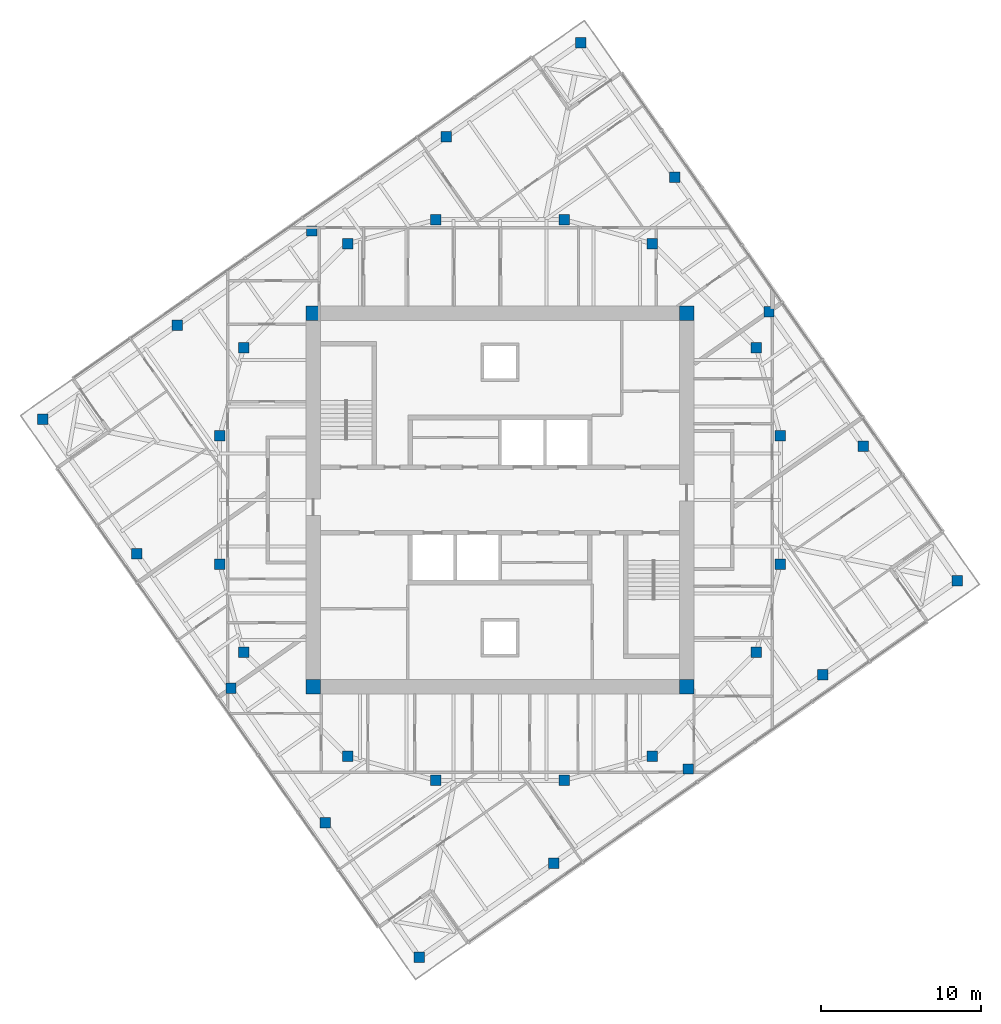
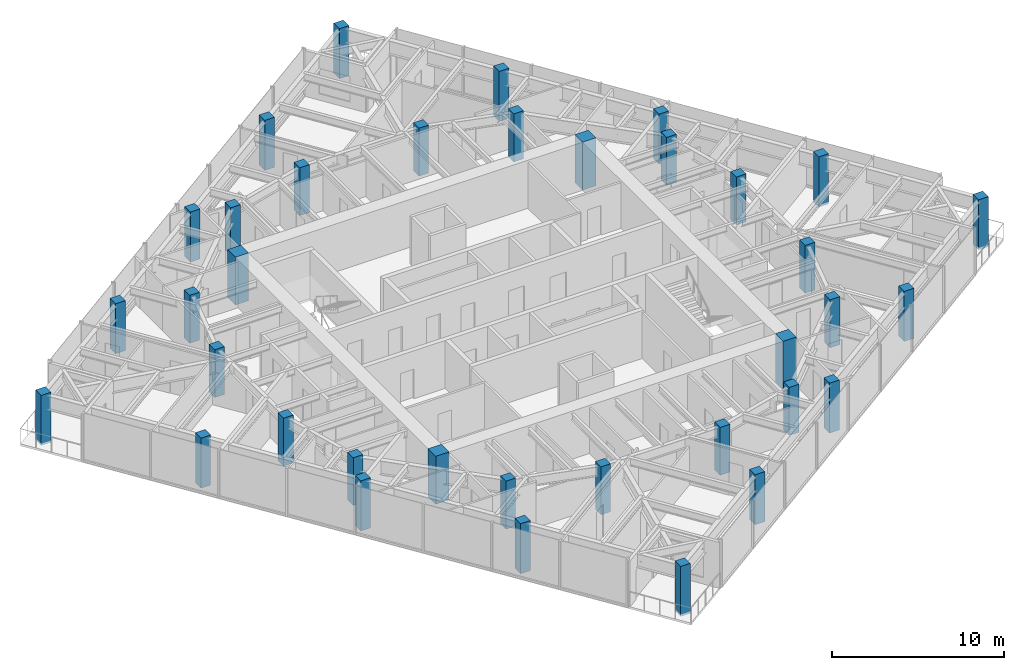
# One storey, part 1 of 12: 36 columns.
"""IFC4 building model written with IfcOpenShell, lengths in metres."""

from ifc_helpers import new_model, si_unit, direction, frame, origin, origin_2d, place, context, subcontext, project, spatial, rectangle, extrude, material, material_profile, profile_set, type_object, element, save


model = new_model("IFC4")

# Units and contexts
model_context = context("Model", 3, precision=1e-05, world=origin(), true_north=direction((0.0, 1.0)))
body_context = subcontext(model_context, "Body", "Model", "MODEL_VIEW")
ifc_project = project(units=[si_unit("LENGTHUNIT", "METRE"), si_unit("AREAUNIT", "SQUARE_METRE"), si_unit("VOLUMEUNIT", "CUBIC_METRE"), si_unit("PLANEANGLEUNIT", "RADIAN"), si_unit("MASSUNIT", "GRAM", prefix="KILO")], contexts=[model_context])

# Site, building, storey
site_placement = place(None, origin())
site = spatial("IfcSite", under=ifc_project, at=site_placement, CompositionType="ELEMENT")
building_placement = place(site_placement, origin())
building = spatial("IfcBuilding", under=site, at=building_placement, Name="Torsade Residences", CompositionType="ELEMENT")
storey_placement = place(building_placement, frame((0.0, 0.0, 240.39990234375)))
storey = spatial("IfcBuildingStorey", under=building, at=storey_placement, Name="L66", CompositionType="ELEMENT", Elevation=240.39990234375)

# Columns
ifc_material_1 = material(Name="Concrete 80 MPa", Category="concrete")
ifc_material_profile_1 = material_profile(ifc_material_1, rectangle(XDim=0.89990234375, YDim=0.89990234375, at=origin_2d()), Name="RC 900x900")
ifc_profile_set_1 = profile_set([ifc_material_profile_1], Name="Concrete 80 MPa")
column_type_1 = type_object("IfcColumnType", Name="CORE CORNER COLUMN RC 900x900", PredefinedType="COLUMN", material=ifc_profile_set_1)
for number, where, z_axis, x_axis, name in (
    (1, (28.35009765625, 18.35009765625, 0.0), (0.0, 0.0, 1.0), (1.0, 0.0, 0.0), "Core corner column CC1 L66"),
    (2, (51.64990234375, 18.35009765625, 0.0), (0.0, 0.0, 1.0), (1.0, 0.0, 0.0), "Core corner column CC2 L66"),
    (3, (51.64990234375, 41.64990234375, 0.0), (0.0, 0.0, 1.0), (1.0, 0.0, 0.0), "Core corner column CC3 L66"),
    (4, (28.35009765625, 41.64990234375, 0.0), (0.0, 0.0, 1.0), (1.0, 0.0, 0.0), "Core corner column CC4 L66"),
):
    element("IfcColumn", number, at=place(storey_placement, frame(where, z_axis=z_axis, x_axis=x_axis)), inside=storey, type_object=column_type_1, Name=name, PredefinedType="COLUMN", context=body_context, shape_type="SweptSolid", body=[
        extrude(rectangle(XDim=0.89990234375, YDim=0.89990234375, at=origin_2d()), origin(), (0.0, 0.0, 1.0), 3.400146484375),
    ])
ifc_material_2 = material(Name="Concrete 80 MPa", Category="concrete")
ifc_material_profile_2 = material_profile(ifc_material_2, rectangle(XDim=0.64990234375, YDim=0.64990234375, at=origin_2d()), Name="RC 650x650")
ifc_profile_set_2 = profile_set([ifc_material_profile_2], Name="Concrete 80 MPa")
column_type_2 = type_object("IfcColumnType", Name="INNER RING COLUMN RC 650x650", PredefinedType="COLUMN", material=ifc_profile_set_2)
for number, where, z_axis, x_axis, name in (
    (5, (57.5, 26.0, 0.0), (0.0, 0.0, 1.0), (1.0, 0.0, 0.0), "Inner ring column IR01 L66"),
    (6, (57.5, 34.0, 0.0), (0.0, 0.0, 1.0), (1.0, 0.0, 0.0), "Inner ring column IR02 L66"),
    (7, (56.0, 39.5, 0.0), (0.0, 0.0, 1.0), (1.0, 0.0, 0.0), "Inner ring column IR03 L66"),
    (8, (49.5, 46.0, 0.0), (0.0, 0.0, 1.0), (1.0, 0.0, 0.0), "Inner ring column IR04 L66"),
    (9, (44.0, 47.5, 0.0), (0.0, 0.0, 1.0), (1.0, 0.0, 0.0), "Inner ring column IR05 L66"),
    (10, (36.0, 47.5, 0.0), (0.0, 0.0, 1.0), (1.0, 0.0, 0.0), "Inner ring column IR06 L66"),
    (11, (30.5, 46.0, 0.0), (0.0, 0.0, 1.0), (1.0, 0.0, 0.0), "Inner ring column IR07 L66"),
    (12, (24.0, 39.5, 0.0), (0.0, 0.0, 1.0), (1.0, 0.0, 0.0), "Inner ring column IR08 L66"),
    (13, (22.5, 34.0, 0.0), (0.0, 0.0, 1.0), (1.0, 0.0, 0.0), "Inner ring column IR09 L66"),
    (14, (22.5, 26.0, 0.0), (0.0, 0.0, 1.0), (1.0, 0.0, 0.0), "Inner ring column IR10 L66"),
    (15, (24.0, 20.5, 0.0), (0.0, 0.0, 1.0), (1.0, 0.0, 0.0), "Inner ring column IR11 L66"),
    (16, (30.5, 14.0, 0.0), (0.0, 0.0, 1.0), (1.0, 0.0, 0.0), "Inner ring column IR12 L66"),
    (17, (36.0, 12.5, 0.0), (0.0, 0.0, 1.0), (1.0, 0.0, 0.0), "Inner ring column IR13 L66"),
    (18, (44.0, 12.5, 0.0), (0.0, 0.0, 1.0), (1.0, 0.0, 0.0), "Inner ring column IR14 L66"),
    (19, (49.5, 14.0, 0.0), (0.0, 0.0, 1.0), (1.0, 0.0, 0.0), "Inner ring column IR15 L66"),
    (20, (56.0, 20.5, 0.0), (0.0, 0.0, 1.0), (1.0, 0.0, 0.0), "Inner ring column IR16 L66"),
):
    element("IfcColumn", number, at=place(storey_placement, frame(where, z_axis=z_axis, x_axis=x_axis)), inside=storey, type_object=column_type_2, Name=name, PredefinedType="COLUMN", context=body_context, shape_type="SweptSolid", body=[
        extrude(rectangle(XDim=0.64990234375, YDim=0.64990234375, at=origin_2d()), origin(), (0.0, 0.0, 1.0), 3.400146484375),
    ])
ifc_material_3 = material(Name="Concrete 80 MPa", Category="concrete")
ifc_material_profile_3 = material_profile(ifc_material_3, rectangle(XDim=0.64990234375, YDim=0.64990234375, at=origin_2d()), Name="RC 650x650")
ifc_profile_set_3 = profile_set([ifc_material_profile_3], Name="Concrete 80 MPa")
column_type_3 = type_object("IfcColumnType", Name="TOWER COLUMN RC 650x650", PredefinedType="COLUMN", material=ifc_profile_set_3)
for number, where, z_axis, x_axis, name in (
    (21, (34.9658203125, 1.448974609375, -0.14990234375), (0.0, 0.0, 1.0), (1.0, 0.0, 0.0), "Column TC8-01 L66"),
    (22, (43.362060546875, 7.328125, -0.14990234375), (0.0, 0.0, 1.0), (1.0, 0.0, 0.0), "Column TC8-02 L66"),
    (23, (51.75830078125, 13.207275390625, -0.14990234375), (0.0, 0.0, 1.0), (1.0, 0.0, 0.0), "Column TC8-03 L66"),
    (24, (60.154541015625, 19.08642578125, -0.14990234375), (0.0, 0.0, 1.0), (1.0, 0.0, 0.0), "Column TC8-04 L66"),
    (25, (68.551025390625, 24.9658203125, -0.14990234375), (0.0, 0.0, 1.0), (1.0, 0.0, 0.0), "Column TC8-05 L66"),
    (26, (62.671875, 33.362060546875, -0.14990234375), (0.0, 0.0, 1.0), (1.0, 0.0, 0.0), "Column TC8-06 L66"),
    (27, (56.792724609375, 41.75830078125, -0.14990234375), (0.0, 0.0, 1.0), (1.0, 0.0, 0.0), "Column TC8-07 L66"),
    (28, (50.91357421875, 50.154541015625, -0.14990234375), (0.0, 0.0, 1.0), (1.0, 0.0, 0.0), "Column TC8-08 L66"),
    (29, (45.0341796875, 58.551025390625, -0.14990234375), (0.0, 0.0, 1.0), (1.0, 0.0, 0.0), "Column TC8-09 L66"),
    (30, (36.637939453125, 52.671875, -0.14990234375), (0.0, 0.0, 1.0), (1.0, 0.0, 0.0), "Column TC8-10 L66"),
    (31, (28.24169921875, 46.792724609375, -0.14990234375), (0.0, 0.0, 1.0), (1.0, 0.0, 0.0), "Column TC8-11 L66"),
    (32, (19.845458984375, 40.91357421875, -0.14990234375), (0.0, 0.0, 1.0), (1.0, 0.0, 0.0), "Column TC8-12 L66"),
    (33, (11.448974609375, 35.0341796875, -0.14990234375), (0.0, 0.0, 1.0), (1.0, 0.0, 0.0), "Column TC8-13 L66"),
    (34, (17.328125, 26.637939453125, -0.14990234375), (0.0, 0.0, 1.0), (1.0, 0.0, 0.0), "Column TC8-14 L66"),
    (35, (23.207275390625, 18.24169921875, -0.14990234375), (0.0, 0.0, 1.0), (1.0, 0.0, 0.0), "Column TC8-15 L66"),
    (36, (29.08642578125, 9.845458984375, -0.14990234375), (0.0, 0.0, 1.0), (1.0, 0.0, 0.0), "Column TC8-16 L66"),
):
    element("IfcColumn", number, at=place(storey_placement, frame(where, z_axis=z_axis, x_axis=x_axis)), inside=storey, type_object=column_type_3, Name=name, PredefinedType="COLUMN", context=body_context, shape_type="SweptSolid", body=[
        extrude(rectangle(XDim=0.64990234375, YDim=0.64990234375, at=origin_2d()), origin(), (0.0, 0.0, 1.0), 3.550048828125),
    ])

save(model, "model.ifc")
